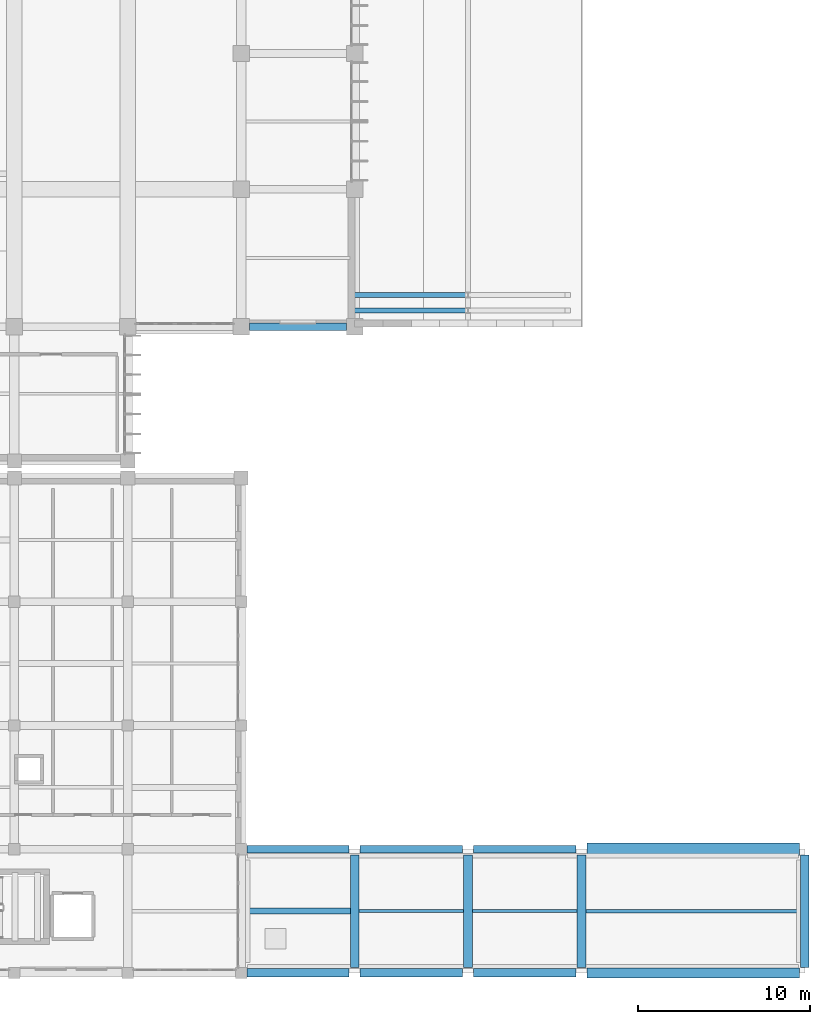
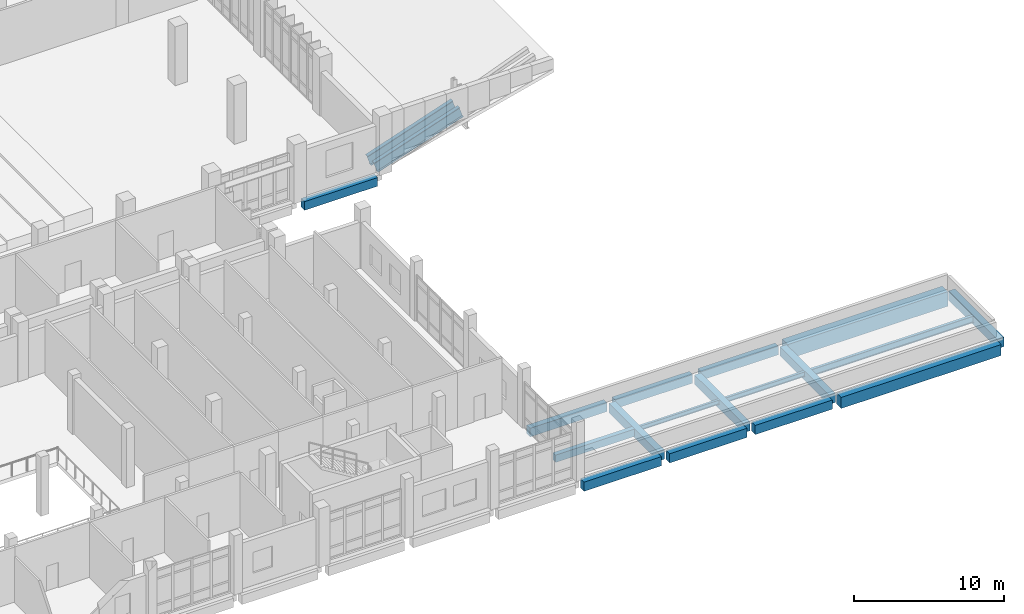
# One storey, part 43 of 90: 17 beams, 2 members.
"""IFC4 building model written with IfcOpenShell, lengths in metres."""

import ifcopenshell
import ifcopenshell.guid

model = None  # the IFC model being written
_history = None  # IfcOwnerHistory: only IFC2X3 demands one
_inside = {}  # id of a spatial element -> (the spatial element, [elements in it])
_under = {}  # id of a project, library or spatial element -> (it, [spatial elements below it])
_declared = {}  # id of a project -> (the project, [libraries it declares])
_typed = {}  # id of a type object -> (the type object, [elements of that type])
_made_of = {}  # id of a material, layer set ... -> (it, [elements and type objects made of it])


def new_model(schema):
    """Start an empty IFC model of exactly this schema.

    Asked for "IFC4X3", IfcOpenShell would pick the latest addendum, in which some entities
    have other attributes; the version numbers below select the first issue.
    IFC2X3 requires an IfcOwnerHistory on every rooted entity: one is made here for all.
    """
    global model, _history
    if schema == "IFC4X3":
        model = ifcopenshell.file(schema_version=(4, 3, 0, 0))
    else:
        model = ifcopenshell.file(schema=schema)
    _inside.clear()
    _under.clear()
    _declared.clear()
    _typed.clear()
    _made_of.clear()
    _history = None
    if model.schema == "IFC2X3":
        org = make("IfcOrganization", Name="unknown")
        user = make(
            "IfcPersonAndOrganization",
            ThePerson=make("IfcPerson", FamilyName="unknown"),
            TheOrganization=org,
        )
        app = make(
            "IfcApplication",
            ApplicationDeveloper=org,
            Version="unknown",
            ApplicationFullName="unknown",
            ApplicationIdentifier="unknown",
        )
        _history = make(
            "IfcOwnerHistory",
            OwningUser=user,
            OwningApplication=app,
            ChangeAction="ADDED",
            CreationDate=0,
        )
    return model


def make(cls, **values):
    """One entity of the class cls with the attributes given. An attribute that is None is left unset."""
    return model.create_entity(
        cls, **{name: value for name, value in values.items() if value is not None}
    )


def rooted(cls, **values):
    """An entity with a GlobalId (a new one), such as an element, a storey or a relation."""
    return make(cls, GlobalId=ifcopenshell.guid.new(), OwnerHistory=_history, **values)


def si_unit(unit_type, name, prefix=None):
    """IfcSIUnit, for example si_unit("LENGTHUNIT", "METRE", prefix="MILLI")."""
    return make("IfcSIUnit", UnitType=unit_type, Prefix=prefix, Name=name)


def assignment(units):
    """IfcUnitAssignment: the units of a project."""
    return None if units is None else make("IfcUnitAssignment", Units=units)


def point(xyz):
    """IfcCartesianPoint."""
    return None if xyz is None else make("IfcCartesianPoint", Coordinates=xyz)


def direction(xyz):
    """IfcDirection."""
    return None if xyz is None else make("IfcDirection", DirectionRatios=xyz)


def frame(location, z_axis=None, x_axis=None):
    """IfcAxis2Placement3D, a coordinate frame: its origin and axes. An axis left out is left unset."""
    return make(
        "IfcAxis2Placement3D",
        Location=point(location),
        Axis=direction(z_axis),
        RefDirection=direction(x_axis),
    )


def frame_2d(location, x_axis=None):
    """IfcAxis2Placement2D, a coordinate frame in the plane: its origin and x axis."""
    return make(
        "IfcAxis2Placement2D", Location=point(location), RefDirection=direction(x_axis)
    )


def origin():
    """The frame at (0, 0, 0) with its axes left unset."""
    return frame((0.0, 0.0, 0.0))


def origin_2d():
    """The frame at (0, 0) in the plane with its x axis left unset."""
    return frame_2d((0.0, 0.0))


def place(relative_to, where):
    """IfcLocalPlacement: puts the frame where relative to a parent placement (None: the world)."""
    return make(
        "IfcLocalPlacement", PlacementRelTo=relative_to, RelativePlacement=where
    )


def context(
    kind, dimensions, precision=None, world=None, true_north=None, identifier=None
):
    """IfcGeometricRepresentationContext, for example the 3D "Model" context."""
    return make(
        "IfcGeometricRepresentationContext",
        ContextIdentifier=identifier,
        ContextType=kind,
        CoordinateSpaceDimension=dimensions,
        Precision=precision,
        WorldCoordinateSystem=world,
        TrueNorth=true_north,
    )


def subcontext(parent, identifier, kind, view, scale=None):
    """IfcGeometricRepresentationSubContext, for example "Body" below "Model"."""
    return make(
        "IfcGeometricRepresentationSubContext",
        ContextIdentifier=identifier,
        ContextType=kind,
        ParentContext=parent,
        TargetScale=scale,
        TargetView=view,
    )


def project(units=None, contexts=None):
    """IfcProject with its units and contexts."""
    return rooted(
        "IfcProject",
        Name="project",
        RepresentationContexts=contexts,
        UnitsInContext=assignment(units),
    )


def spatial(cls, under=None, at=None, **own):
    """A site, building, storey or space (cls), placed at a placement, below another one or the project."""
    s = rooted(cls, ObjectPlacement=at, **own)
    if under is not None:
        _under.setdefault(under.id(), (under, []))[1].append(s)
    return s


def profile(cls, at=None, kind="AREA", **sizes):
    """A parametric profile (cls). Its sizes go by their IFC names, for example OverallWidth=200.0."""
    return make(cls, ProfileType=kind, Position=at, **sizes)


def rectangle(**sizes):
    """IfcRectangleProfileDef."""
    return profile("IfcRectangleProfileDef", **sizes)


def i_section(**sizes):
    """IfcIShapeProfileDef."""
    return profile("IfcIShapeProfileDef", **sizes)


def extrude(swept, where, along, depth):
    """IfcExtrudedAreaSolid: the profile swept, set in the frame where, extruded along a direction by depth."""
    return make(
        "IfcExtrudedAreaSolid",
        SweptArea=swept,
        Position=where,
        ExtrudedDirection=direction(along),
        Depth=depth,
    )


def shape(context_of_items, identifier, shape_type, items):
    """IfcShapeRepresentation: the items that make up one representation, for example the "Body"."""
    return make(
        "IfcShapeRepresentation",
        ContextOfItems=context_of_items,
        RepresentationIdentifier=identifier,
        RepresentationType=shape_type,
        Items=items,
    )


def material(Name=None, Category=None):
    """IfcMaterial."""
    return make("IfcMaterial", Name=Name, Category=Category)


def material_profile(
    of_material, cross_section, Name=None, Category=None, Priority=None
):
    """IfcMaterialProfile: a cross section and its material."""
    return make(
        "IfcMaterialProfile",
        Name=Name,
        Material=of_material,
        Profile=cross_section,
        Priority=Priority,
        Category=Category,
    )


def profile_set(profiles, Name=None, composite=None):
    """IfcMaterialProfileSet."""
    return make(
        "IfcMaterialProfileSet",
        Name=Name,
        MaterialProfiles=profiles,
        CompositeProfile=composite,
    )


def made_of(thing, what):
    """Note that an element or type object is made of a material, layer set ...; save() writes the relation."""
    if what is not None:
        _made_of.setdefault(what.id(), (what, []))[1].append(thing)
    return thing


def type_object(cls, material=None, **own):
    """A type object (cls), such as IfcWallType, which elements share."""
    return made_of(rooted(cls, **own), material)


def element(
    cls,
    number,
    at=None,
    inside=None,
    cuts=None,
    type_object=None,
    material=None,
    context=None,
    identifier="Body",
    shape_type=None,
    held_by="IfcProductDefinitionShape",
    body=None,
    shapes=None,
    **own,
):
    """One element of the class cls, such as IfcWall. Its Tag is "e" and its number.

    at: its placement. inside: the storey or other place that contains it. cuts: it is an
    opening in that element (IfcRelVoidsElement). A single representation is given by context,
    identifier, shape_type and body (its items); several are given by shapes. held_by: the class
    of the entity that holds the representations. save() writes the other relations.
    """
    e = rooted(cls, Tag="e%d" % number, ObjectPlacement=at, **own)
    if body is not None:
        shapes = [shape(context, identifier, shape_type, body)]
    if shapes is not None:
        e.Representation = make(held_by, Representations=shapes)
    if inside is not None:
        _inside.setdefault(inside.id(), (inside, []))[1].append(e)
    if cuts is not None:
        rooted(
            "IfcRelVoidsElement", RelatingBuildingElement=cuts, RelatedOpeningElement=e
        )
    if type_object is not None:
        _typed.setdefault(type_object.id(), (type_object, []))[1].append(e)
    return made_of(e, material)


def aggregate(whole, parts):
    """IfcRelAggregates: a whole, such as a stair, and the parts it consists of."""
    return rooted("IfcRelAggregates", RelatingObject=whole, RelatedObjects=parts)


def save(model, path):
    """Write the relations noted so far, then the file.

    IfcRelAggregates (storeys below a building ...), IfcRelContainedInSpatialStructure (elements
    in a storey), IfcRelDefinesByType, IfcRelAssociatesMaterial and IfcRelDeclares: one each for
    every whole, place, type object, material and project.
    """
    for whole, parts in _under.values():
        aggregate(whole, parts)
    for where, things in _inside.values():
        rooted(
            "IfcRelContainedInSpatialStructure",
            RelatedElements=things,
            RelatingStructure=where,
        )
    for kind, things in _typed.values():
        rooted("IfcRelDefinesByType", RelatedObjects=things, RelatingType=kind)
    for what, things in _made_of.values():
        rooted("IfcRelAssociatesMaterial", RelatedObjects=things, RelatingMaterial=what)
    for by, libraries in _declared.values():
        rooted("IfcRelDeclares", RelatingContext=by, RelatedDefinitions=libraries)
    model.write(path)


model = new_model("IFC4")

# Units and contexts
model_context = context("Model", 3, precision=1e-05, world=origin(), true_north=direction((0.0, 1.0)))
body_context = subcontext(model_context, "Body", "Model", "MODEL_VIEW")
ifc_project = project(units=[si_unit("LENGTHUNIT", "METRE"), si_unit("AREAUNIT", "SQUARE_METRE"), si_unit("VOLUMEUNIT", "CUBIC_METRE"), si_unit("PLANEANGLEUNIT", "RADIAN"), si_unit("MASSUNIT", "GRAM", prefix="KILO")], contexts=[model_context])

# Site, building, storey
site_placement = place(None, origin())
site = spatial("IfcSite", under=ifc_project, at=site_placement, CompositionType="ELEMENT")
building_placement = place(site_placement, origin())
building = spatial("IfcBuilding", under=site, at=building_placement, Name="Kelarvand Opera House", CompositionType="ELEMENT")
storey_placement = place(building_placement, frame((0.0, 0.0, 5.39990234375)))
storey = spatial("IfcBuildingStorey", under=building, at=storey_placement, Name="L01", CompositionType="ELEMENT", Elevation=5.39990234375)

# Beams
ifc_material_1 = material(Name="Concrete C35/45", Category="concrete")
ifc_material_profile_1 = material_profile(ifc_material_1, rectangle(XDim=0.35009765625, YDim=0.60009765625, at=origin_2d()), Name="RC 350x600", Category="concrete")
ifc_profile_set_1 = profile_set([ifc_material_profile_1], Name="Concrete C35/45")
beam_type_1 = type_object("IfcBeamType", Name="Structural Beam RC 350x600 BM-RC350x600", PredefinedType="BEAM", material=ifc_profile_set_1)
beam_1_placement = place(storey_placement, frame((135.449951171875, 12.60009765625, -0.599853515625), z_axis=(1.0, 0.0, 0.0), x_axis=(0.0, 1.0, 0.0)))
element("IfcBeam", 1, at=beam_1_placement, inside=storey, type_object=beam_type_1, Name="V6 L01 Beam BM-RC350x600", PredefinedType="BEAM", context=body_context, shape_type="SweptSolid", body=[
    extrude(rectangle(XDim=0.35009765625, YDim=0.60009765625, at=origin_2d()), origin(), (0.0, 0.0, 1.0), 6.10009765625),
])
ifc_material_2 = material(Name="Concrete C40/50", Category="concrete")
ifc_material_profile_2 = material_profile(ifc_material_2, rectangle(XDim=0.449951171875, YDim=0.699951171875, at=origin_2d()), Name="RC 450x700", Category="concrete")
ifc_profile_set_2 = profile_set([ifc_material_profile_2], Name="Concrete C40/50")
beam_type_2 = type_object("IfcBeamType", Name="Structural Beam RC 450x700 BM-RC450x700", PredefinedType="BEAM", material=ifc_profile_set_2)
beam_2_placement = place(storey_placement, frame((135.675048828125, 46.60009765625, -0.64990234375), z_axis=(1.0, 0.0, 0.0), x_axis=(0.0, 1.0, 0.0)))
element("IfcBeam", 2, at=beam_2_placement, inside=storey, type_object=beam_type_2, Name="V1 L01 Beam BM-RC450x700", PredefinedType="BEAM", context=body_context, shape_type="SweptSolid", body=[
    extrude(rectangle(XDim=0.449951171875, YDim=0.699951171875, at=origin_2d()), origin(), (0.0, 0.0, 1.0), 5.64990234375),
])
beam_3_placement = place(storey_placement, frame((135.52490234375, 16.199951171875, -0.64990234375), z_axis=(1.0, 0.0, 0.0), x_axis=(0.0, 1.0, 0.0)))
element("IfcBeam", 3, at=beam_3_placement, inside=storey, type_object=beam_type_2, Name="V6 L01 Beam BM-RC450x700", PredefinedType="BEAM", context=body_context, shape_type="SweptSolid", body=[
    extrude(rectangle(XDim=0.449951171875, YDim=0.699951171875, at=origin_2d()), origin(), (0.0, 0.0, 1.0), 5.9501953125),
])
for number, where, z_axis, x_axis, name in (
    (4, (142.125, 16.199951171875, -0.64990234375), (1.0, 0.0, 0.0), (0.0, 1.0, 0.0), "V6 L01 Beam BM-RC450x700"),
    (5, (148.72509765625, 16.199951171875, -0.64990234375), (1.0, 0.0, 0.0), (0.0, 1.0, 0.0), "V6 L01 Beam BM-RC450x700"),
):
    element("IfcBeam", number, at=place(storey_placement, frame(where, z_axis=z_axis, x_axis=x_axis)), inside=storey, type_object=beam_type_2, Name=name, PredefinedType="BEAM", context=body_context, shape_type="SweptSolid", body=[
        extrude(rectangle(XDim=0.449951171875, YDim=0.699951171875, at=origin_2d()), origin(), (0.0, 0.0, 1.0), 5.949951171875),
    ])
ifc_material_profile_3 = material_profile(ifc_material_2, rectangle(XDim=0.5, YDim=0.75, at=origin_2d()), Name="RC 500x750", Category="concrete")
ifc_profile_set_3 = profile_set([ifc_material_profile_3], Name="Concrete C40/50")
beam_type_3 = type_object("IfcBeamType", Name="Structural Beam RC 500x750 BM-RC500x750", PredefinedType="BEAM", material=ifc_profile_set_3)
for number, where, z_axis, x_axis, name in (
    (6, (141.800048828125, 9.324951171875, -0.6748046875), (0.0, 1.0, 0.0), (-1.0, 0.0, 0.0), "V6 L01 Beam BM-RC500x750"),
    (7, (148.39990234375, 9.324951171875, -0.6748046875), (0.0, 1.0, 0.0), (-1.0, 0.0, 0.0), "V6 L01 Beam BM-RC500x750"),
    (8, (155.0, 9.324951171875, -0.6748046875), (0.0, 1.0, 0.0), (-1.0, 0.0, 0.0), "V6 L01 Beam BM-RC500x750"),
    (9, (168.0, 9.324951171875, -0.6748046875), (0.0, 1.0, 0.0), (-1.0, 0.0, 0.0), "V6 L01 Beam BM-RC500x750"),
):
    element("IfcBeam", number, at=place(storey_placement, frame(where, z_axis=z_axis, x_axis=x_axis)), inside=storey, type_object=beam_type_3, Name=name, PredefinedType="BEAM", context=body_context, shape_type="SweptSolid", body=[
        extrude(rectangle(XDim=0.5, YDim=0.75, at=origin_2d()), origin(), (0.0, 0.0, 1.0), 6.550048828125),
    ])
ifc_material_profile_4 = material_profile(ifc_material_2, rectangle(XDim=0.75, YDim=1.199951171875, at=origin_2d()), Name="RC 750x1200", Category="concrete")
ifc_profile_set_4 = profile_set([ifc_material_profile_4], Name="Concrete C40/50")
beam_type_4 = type_object("IfcBeamType", Name="Structural Beam RC 750x1200 BM-RC750x1200", PredefinedType="BEAM", material=ifc_profile_set_4)
beam_4_placement = place(storey_placement, frame((155.324951171875, 16.199951171875, -0.89990234375), z_axis=(1.0, 0.0, 0.0), x_axis=(0.0, 1.0, 0.0)))
element("IfcBeam", 10, at=beam_4_placement, inside=storey, type_object=beam_type_4, Name="V6 L01 Beam BM-RC750x1200", PredefinedType="BEAM", context=body_context, shape_type="SweptSolid", body=[
    extrude(rectangle(XDim=0.75, YDim=1.199951171875, at=origin_2d()), origin(), (0.0, 0.0, 1.0), 12.35009765625),
])

# Members
ifc_material_3 = material(Name="Steel S355", Category="steel")
ifc_material_profile_5 = material_profile(ifc_material_3, i_section(OverallWidth=0.300048828125, OverallDepth=0.89990234375, WebThickness=0.0185546875, FlangeThickness=0.034912109375, at=origin_2d()), Name="HEB 900", Category="steel")
ifc_profile_set_5 = profile_set([ifc_material_profile_5], Name="Steel S355")
member_type = type_object("IfcMemberType", Name="Structural Chord HEB 900 CH-HEB900", PredefinedType="CHORD", material=ifc_profile_set_5)
for number, where, z_axis, x_axis, name in (
    (11, (141.800048828125, 47.550048828125, -0.2998046875), (0.946945769649, 0.0, 0.321393387213), (0.0, 1.0, 0.0), "Cantilever Raked Underside Chord CT1.1"),
    (12, (141.800048828125, 48.449951171875, -0.2998046875), (0.946945769649, 0.0, 0.321393387213), (0.0, 1.0, 0.0), "Cantilever Raked Underside Chord CT2.1"),
):
    element("IfcMember", number, at=place(storey_placement, frame(where, z_axis=z_axis, x_axis=x_axis)), inside=storey, type_object=member_type, Name=name, PredefinedType="CHORD", context=body_context, shape_type="SweptSolid", body=[
        extrude(i_section(OverallWidth=0.300048828125, OverallDepth=0.89990234375, WebThickness=0.0185546875, FlangeThickness=0.034912109375, at=origin_2d()), origin(), (0.0, 0.0, 1.0), 6.9697265625),
    ])

# Beams
ifc_material_profile_6 = material_profile(ifc_material_3, i_section(OverallWidth=0.169921875, OverallDepth=0.360107421875, WebThickness=0.008056640625, FlangeThickness=0.0126953125, at=origin_2d()), Name="IPE 360", Category="steel")
ifc_profile_set_6 = profile_set([ifc_material_profile_6], Name="Steel S355")
beam_type_5 = type_object("IfcBeamType", Name="Structural Joist IPE 360 JS-IPE360", PredefinedType="JOIST", material=ifc_profile_set_6)
beam_5_placement = place(storey_placement, frame((142.050048828125, 12.60009765625, -0.47998046875), z_axis=(1.0, 0.0, 0.0), x_axis=(0.0, 1.0, 0.0)))
element("IfcBeam", 13, at=beam_5_placement, inside=storey, type_object=beam_type_5, Name="V6 L01 Beam JS-IPE360", PredefinedType="JOIST", context=body_context, shape_type="SweptSolid", body=[
    extrude(i_section(OverallWidth=0.169921875, OverallDepth=0.360107421875, WebThickness=0.008056640625, FlangeThickness=0.0126953125, at=origin_2d()), origin(), (0.0, 0.0, 1.0), 6.099853515625),
])
ifc_material_profile_7 = material_profile(ifc_material_3, i_section(OverallWidth=0.179931640625, OverallDepth=0.39990234375, WebThickness=0.008544921875, FlangeThickness=0.013427734375, at=origin_2d()), Name="IPE 400", Category="steel")
ifc_profile_set_7 = profile_set([ifc_material_profile_7], Name="Steel S355")
beam_type_6 = type_object("IfcBeamType", Name="Structural Joist IPE 400 JS-IPE400", PredefinedType="JOIST", material=ifc_profile_set_7)
beam_6_placement = place(storey_placement, frame((148.64990234375, 12.60009765625, -0.5), z_axis=(1.0, 0.0, 0.0), x_axis=(0.0, 1.0, 0.0)))
element("IfcBeam", 14, at=beam_6_placement, inside=storey, type_object=beam_type_6, Name="V6 L01 Beam JS-IPE400", PredefinedType="JOIST", context=body_context, shape_type="SweptSolid", body=[
    extrude(i_section(OverallWidth=0.179931640625, OverallDepth=0.39990234375, WebThickness=0.008544921875, FlangeThickness=0.013427734375, at=origin_2d()), origin(), (0.0, 0.0, 1.0), 6.10009765625),
])
ifc_material_profile_8 = material_profile(ifc_material_3, i_section(OverallWidth=0.2099609375, OverallDepth=0.550048828125, WebThickness=0.010986328125, FlangeThickness=0.01708984375, at=origin_2d()), Name="IPE 550", Category="steel")
ifc_profile_set_8 = profile_set([ifc_material_profile_8], Name="Steel S355")
beam_type_7 = type_object("IfcBeamType", Name="Structural Joist IPE 550 JS-IPE550", PredefinedType="JOIST", material=ifc_profile_set_8)
beam_7_placement = place(storey_placement, frame((155.25, 12.60009765625, -0.574951171875), z_axis=(1.0, 0.0, 0.0), x_axis=(0.0, 1.0, 0.0)))
element("IfcBeam", 15, at=beam_7_placement, inside=storey, type_object=beam_type_7, Name="V6 L01 Beam JS-IPE550", PredefinedType="JOIST", context=body_context, shape_type="SweptSolid", body=[
    extrude(i_section(OverallWidth=0.2099609375, OverallDepth=0.550048828125, WebThickness=0.010986328125, FlangeThickness=0.01708984375, at=origin_2d()), origin(), (0.0, 0.0, 1.0), 12.5),
])
ifc_material_profile_9 = material_profile(ifc_material_2, rectangle(XDim=0.5, YDim=0.75, at=origin_2d()), Name="RC 500x750", Category="concrete")
ifc_profile_set_9 = profile_set([ifc_material_profile_9], Name="Concrete C40/50")
beam_type_8 = type_object("IfcBeamType", Name="Structural Spandrel RC 500x750 SP-RC500x750E", PredefinedType="SPANDREL", material=ifc_profile_set_9)
beam_8_placement = place(storey_placement, frame((135.52490234375, 9.0, -0.6748046875), z_axis=(1.0, 0.0, 0.0), x_axis=(0.0, 1.0, 0.0)))
element("IfcBeam", 16, at=beam_8_placement, inside=storey, type_object=beam_type_8, Name="V6 L01 Beam SP-RC500x750E", PredefinedType="SPANDREL", context=body_context, shape_type="SweptSolid", body=[
    extrude(rectangle(XDim=0.5, YDim=0.75, at=origin_2d()), origin(), (0.0, 0.0, 1.0), 5.9501953125),
])
for number, where, z_axis, x_axis, name in (
    (17, (142.125, 9.0, -0.6748046875), (1.0, 0.0, 0.0), (0.0, 1.0, 0.0), "V6 L01 Beam SP-RC500x750E"),
    (18, (148.72509765625, 9.0, -0.6748046875), (1.0, 0.0, 0.0), (0.0, 1.0, 0.0), "V6 L01 Beam SP-RC500x750E"),
):
    element("IfcBeam", number, at=place(storey_placement, frame(where, z_axis=z_axis, x_axis=x_axis)), inside=storey, type_object=beam_type_8, Name=name, PredefinedType="SPANDREL", context=body_context, shape_type="SweptSolid", body=[
        extrude(rectangle(XDim=0.5, YDim=0.75, at=origin_2d()), origin(), (0.0, 0.0, 1.0), 5.949951171875),
    ])
ifc_material_profile_10 = material_profile(ifc_material_2, rectangle(XDim=0.60009765625, YDim=0.89990234375, at=origin_2d()), Name="RC 600x900", Category="concrete")
ifc_profile_set_10 = profile_set([ifc_material_profile_10], Name="Concrete C40/50")
beam_type_9 = type_object("IfcBeamType", Name="Structural Spandrel RC 600x900 SP-RC600x900E", PredefinedType="SPANDREL", material=ifc_profile_set_10)
beam_9_placement = place(storey_placement, frame((155.324951171875, 9.0, -0.75), z_axis=(1.0, 0.0, 0.0), x_axis=(0.0, 1.0, 0.0)))
element("IfcBeam", 19, at=beam_9_placement, inside=storey, type_object=beam_type_9, Name="V6 L01 Beam SP-RC600x900E", PredefinedType="SPANDREL", context=body_context, shape_type="SweptSolid", body=[
    extrude(rectangle(XDim=0.60009765625, YDim=0.89990234375, at=origin_2d()), origin(), (0.0, 0.0, 1.0), 12.35009765625),
])

save(model, "model.ifc")
